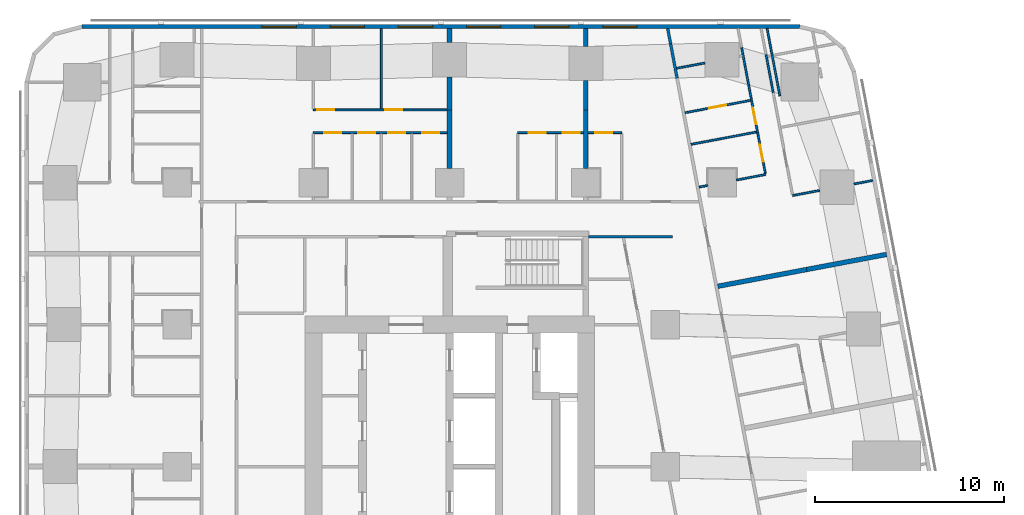
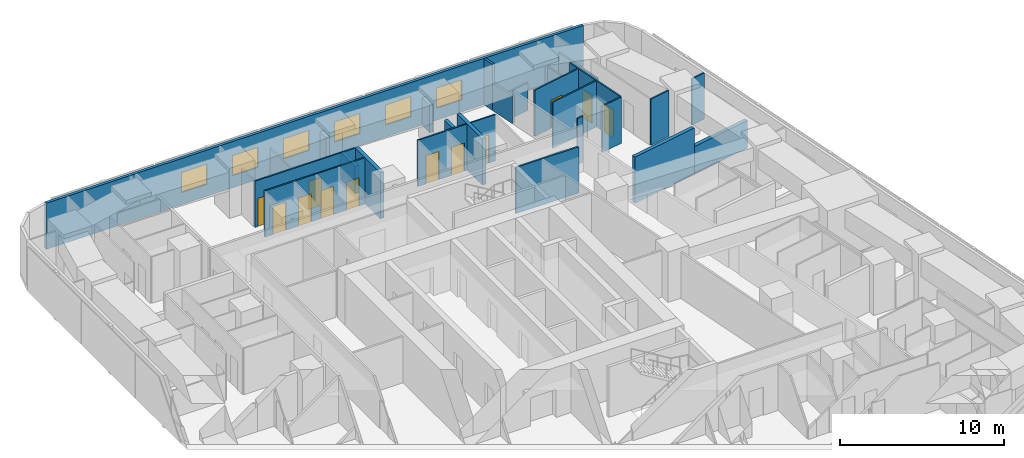
# One storey, part 10 of 15: 28 walls, 12 doors, 6 windows, 18 openings.
"""IFC4 building model written with IfcOpenShell, lengths in metres."""

from ifc_helpers import new_model, si_unit, direction, frame, frame_2d, origin, place, context, subcontext, project, spatial, rectangle, extrude, material, layer, layer_set, type_object, element, fill, save


model = new_model("IFC4")

# Units and contexts
model_context = context("Model", 3, precision=1e-05, world=origin(), true_north=direction((0.0, 1.0)))
body_context = subcontext(model_context, "Body", "Model", "MODEL_VIEW")
ifc_project = project(units=[si_unit("LENGTHUNIT", "METRE"), si_unit("AREAUNIT", "SQUARE_METRE"), si_unit("VOLUMEUNIT", "CUBIC_METRE"), si_unit("PLANEANGLEUNIT", "RADIAN"), si_unit("MASSUNIT", "GRAM", prefix="KILO")], contexts=[model_context])

# Site, building, storey
site_placement = place(None, origin())
site = spatial("IfcSite", under=ifc_project, at=site_placement, CompositionType="ELEMENT")
building_placement = place(site_placement, origin())
building = spatial("IfcBuilding", under=site, at=building_placement, Name="Sheger Commons Tower", CompositionType="ELEMENT")
storey_placement = place(building_placement, frame((0.0, 0.0, 184.550048828125)))
storey = spatial("IfcBuildingStorey", under=building, at=storey_placement, Name="L47", CompositionType="ELEMENT", Elevation=184.550048828125)

# Walls
ifc_material_1 = material(Name="Hollow concrete block masonry, skimmed both sides", Category="masonry")
ifc_layer_1 = layer(ifc_material_1, 0.14990234375)
ifc_layer_set_1 = layer_set([ifc_layer_1], Name="CORRIDOR WALL 150")
wall_type_1 = type_object("IfcWallType", Name="CORRIDOR WALL 150", PredefinedType="SOLIDWALL", material=ifc_layer_set_1)
wall_1_placement = place(storey_placement, frame((33.126953125, 45.64990234375, 0.0), z_axis=(0.0, 0.0, 1.0), x_axis=(0.186176514576, -0.982516313056, 0.0)))
element("IfcWall", 1, at=wall_1_placement, inside=storey, type_object=wall_type_1, Name="Corridor wall L47", PredefinedType="SOLIDWALL", context=body_context, shape_type="SweptSolid", body=[
    extrude(rectangle(XDim=0.827392578125, YDim=0.14990234375, at=frame_2d((0.41357421875, 0.0))), origin(), (0.0, 0.0, 1.0), 3.449951171875),
])
wall_2_placement = place(storey_placement, frame((33.281005859375, 44.8369140625, 0.0), z_axis=(0.0, 0.0, 1.0), x_axis=(0.185198323004, -0.982701165745, 0.0)))
element("IfcWall", 2, at=wall_2_placement, inside=storey, type_object=wall_type_1, Name="Corridor wall L47", PredefinedType="SOLIDWALL", context=body_context, shape_type="SweptSolid", body=[
    extrude(rectangle(XDim=1.846923828125, YDim=0.14990234375, at=frame_2d((0.92333984375, 0.0))), origin(), (0.0, 0.0, 1.0), 2.050048828125),
])
ifc_material_2 = material(Name="Dense concrete block masonry, plastered both sides (separating wall between flats)", Category="masonry")
ifc_layer_2 = layer(ifc_material_2, 0.25)
ifc_layer_set_2 = layer_set([ifc_layer_2], Name="DEMISING WALL 250")
wall_type_2 = type_object("IfcWallType", Name="DEMISING WALL 250", PredefinedType="SOLIDWALL", material=ifc_layer_set_2)
wall_3_placement = place(storey_placement, frame((44.693115234375, 33.712890625, 0.0), z_axis=(0.0, 0.0, 1.0), x_axis=(-0.982633535512, -0.185556823879, 0.0)))
element("IfcWall", 3, at=wall_3_placement, inside=storey, type_object=wall_type_2, Name="Demising wall L47", PredefinedType="SOLIDWALL", context=body_context, shape_type="SweptSolid", body=[
    extrude(rectangle(XDim=4.2998046875, YDim=0.25, at=frame_2d((2.14990234375, 0.0))), origin(), (0.0, 0.0, 1.0), 2.050048828125),
])
wall_4_placement = place(storey_placement, frame((40.468017578125, 32.9150390625, 0.0), z_axis=(0.0, 0.0, 1.0), x_axis=(-0.982635807605, -0.185544791394, 0.0)))
element("IfcWall", 4, at=wall_4_placement, inside=storey, type_object=wall_type_2, Name="Demising wall L47", PredefinedType="SOLIDWALL", context=body_context, shape_type="SweptSolid", body=[
    extrude(rectangle(XDim=4.775146484375, YDim=0.25, at=frame_2d((2.3876953125, 0.0))), origin(), (0.0, 0.0, 1.0), 3.449951171875),
])
wall_5_placement = place(storey_placement, frame((21.60009765625, 41.35009765625, 0.0), z_axis=(0.0, 0.0, 1.0), x_axis=(0.0, 1.0, 0.0)))
element("IfcWall", 5, at=wall_5_placement, inside=storey, type_object=wall_type_2, Name="Demising wall L47", PredefinedType="SOLIDWALL", context=body_context, shape_type="SweptSolid", body=[
    extrude(rectangle(XDim=1.7490234375, YDim=0.25, at=frame_2d((0.87451171875, 0.0))), origin(), (0.0, 0.0, 1.0), 2.050048828125),
])
wall_6_placement = place(storey_placement, frame((21.60009765625, 44.90087890625, 0.0), z_axis=(0.0, 0.0, 1.0), x_axis=(0.0, 1.0, 0.0)))
element("IfcWall", 6, at=wall_6_placement, inside=storey, type_object=wall_type_2, Name="Demising wall L47", PredefinedType="SOLIDWALL", context=body_context, shape_type="SweptSolid", body=[
    extrude(rectangle(XDim=0.7490234375, YDim=0.25, at=frame_2d((0.37451171875, 0.0))), origin(), (0.0, 0.0, 1.0), 2.050048828125),
])
wall_7_placement = place(storey_placement, frame((21.60009765625, 38.2509765625, 0.0), z_axis=(0.0, 0.0, 1.0), x_axis=(0.0, 1.0, 0.0)))
element("IfcWall", 7, at=wall_7_placement, inside=storey, type_object=wall_type_2, Name="Demising wall L47", PredefinedType="SOLIDWALL", context=body_context, shape_type="SweptSolid", body=[
    extrude(rectangle(XDim=3.09912109375, YDim=0.25, at=frame_2d((1.549560546875, 0.0))), origin(), (0.0, 0.0, 1.0), 3.449951171875),
])
wall_8_placement = place(storey_placement, frame((28.800048828125, 41.35009765625, 0.0), z_axis=(0.0, 0.0, 1.0), x_axis=(0.0, 1.0, 0.0)))
element("IfcWall", 8, at=wall_8_placement, inside=storey, type_object=wall_type_2, Name="Demising wall L47", PredefinedType="SOLIDWALL", context=body_context, shape_type="SweptSolid", body=[
    extrude(rectangle(XDim=1.548828125, YDim=0.25, at=frame_2d((0.7744140625, 0.0))), origin(), (0.0, 0.0, 1.0), 2.050048828125),
])
wall_9_placement = place(storey_placement, frame((28.800048828125, 44.700927734375, 0.0), z_axis=(0.0, 0.0, 1.0), x_axis=(0.0, 1.0, 0.0)))
element("IfcWall", 9, at=wall_9_placement, inside=storey, type_object=wall_type_2, Name="Demising wall L47", PredefinedType="SOLIDWALL", context=body_context, shape_type="SweptSolid", body=[
    extrude(rectangle(XDim=0.948974609375, YDim=0.25, at=frame_2d((0.474609375, 0.0))), origin(), (0.0, 0.0, 1.0), 2.050048828125),
])
wall_10_placement = place(storey_placement, frame((28.800048828125, 38.2509765625, 0.0), z_axis=(0.0, 0.0, 1.0), x_axis=(0.0, 1.0, 0.0)))
element("IfcWall", 10, at=wall_10_placement, inside=storey, type_object=wall_type_2, Name="Demising wall L47", PredefinedType="SOLIDWALL", context=body_context, shape_type="SweptSolid", body=[
    extrude(rectangle(XDim=3.09912109375, YDim=0.25, at=frame_2d((1.549560546875, 0.0))), origin(), (0.0, 0.0, 1.0), 3.449951171875),
])

# Wall, openings, windows
ifc_material_3 = material(Name="Rendered concrete block masonry, dark grey", Category="masonry")
ifc_layer_3 = layer(ifc_material_3, 0.199951171875)
ifc_layer_set_3 = layer_set([ifc_layer_3], Name="FACADE WALL 200")
wall_type_3 = type_object("IfcWallType", Name="FACADE WALL 200", PredefinedType="SOLIDWALL", material=ifc_layer_set_3)
wall_11_placement = place(storey_placement, frame((40.10595703125, 45.75, 0.0), z_axis=(0.0, 0.0, 1.0), x_axis=(-1.0, 0.0, 0.0)))
wall_11 = element("IfcWall", 11, at=wall_11_placement, inside=storey, type_object=wall_type_3, Name="Facade wall L47", PredefinedType="SOLIDWALL", context=body_context, shape_type="SweptSolid", body=[
    extrude(rectangle(XDim=37.94287109375, YDim=0.199951171875, at=frame_2d((18.971435546875, 0.0))), origin(), (0.0, 0.0, 1.0), 3.449951171875),
])
opening_1_placement = place(wall_11_placement, frame((8.60595703125, 0.0, 0.89990234375)))
opening_1 = element("IfcOpeningElement", 12, at=opening_1_placement, cuts=wall_11, Name="Opening W2", PredefinedType="OPENING", context=body_context, shape_type="SweptSolid", body=[
    extrude(rectangle(XDim=1.800048828125, YDim=1.5, at=frame_2d((0.89990234375, 0.75))), frame((0.0, 0.10986328125, 0.0), z_axis=(0.0, -1.0, 0.0), x_axis=(1.0, 0.0, 0.0)), (0.0, 0.0, 1.0), 0.219970703125),
])
opening_2_placement = place(wall_11_placement, frame((12.2060546875, 0.0, 0.89990234375)))
opening_2 = element("IfcOpeningElement", 13, at=opening_2_placement, cuts=wall_11, Name="Opening W2", PredefinedType="OPENING", context=body_context, shape_type="SweptSolid", body=[
    extrude(rectangle(XDim=1.800048828125, YDim=1.5, at=frame_2d((0.89990234375, 0.75))), frame((0.0, 0.10986328125, 0.0), z_axis=(0.0, -1.0, 0.0), x_axis=(1.0, 0.0, 0.0)), (0.0, 0.0, 1.0), 0.219970703125),
])
opening_3_placement = place(wall_11_placement, frame((15.805908203125, 0.0, 0.89990234375)))
opening_3 = element("IfcOpeningElement", 14, at=opening_3_placement, cuts=wall_11, Name="Opening W2", PredefinedType="OPENING", context=body_context, shape_type="SweptSolid", body=[
    extrude(rectangle(XDim=1.800048828125, YDim=1.5, at=frame_2d((0.89990234375, 0.75))), frame((0.0, 0.10986328125, 0.0), z_axis=(0.0, -1.0, 0.0), x_axis=(1.0, 0.0, 0.0)), (0.0, 0.0, 1.0), 0.219970703125),
])
opening_4_placement = place(wall_11_placement, frame((19.406005859375, 0.0, 0.89990234375)))
opening_4 = element("IfcOpeningElement", 15, at=opening_4_placement, cuts=wall_11, Name="Opening W2", PredefinedType="OPENING", context=body_context, shape_type="SweptSolid", body=[
    extrude(rectangle(XDim=1.800048828125, YDim=1.5, at=frame_2d((0.89990234375, 0.75))), frame((0.0, 0.10986328125, 0.0), z_axis=(0.0, -1.0, 0.0), x_axis=(1.0, 0.0, 0.0)), (0.0, 0.0, 1.0), 0.219970703125),
])
opening_5_placement = place(wall_11_placement, frame((23.006103515625, 0.0, 0.89990234375)))
opening_5 = element("IfcOpeningElement", 16, at=opening_5_placement, cuts=wall_11, Name="Opening W2", PredefinedType="OPENING", context=body_context, shape_type="SweptSolid", body=[
    extrude(rectangle(XDim=1.800048828125, YDim=1.5, at=frame_2d((0.89990234375, 0.75))), frame((0.0, 0.10986328125, 0.0), z_axis=(0.0, -1.0, 0.0), x_axis=(1.0, 0.0, 0.0)), (0.0, 0.0, 1.0), 0.219970703125),
])
opening_6_placement = place(wall_11_placement, frame((26.60595703125, 0.0, 0.89990234375)))
opening_6 = element("IfcOpeningElement", 17, at=opening_6_placement, cuts=wall_11, Name="Opening W2", PredefinedType="OPENING", context=body_context, shape_type="SweptSolid", body=[
    extrude(rectangle(XDim=1.800048828125, YDim=1.5, at=frame_2d((0.89990234375, 0.75))), frame((0.0, 0.10986328125, 0.0), z_axis=(0.0, -1.0, 0.0), x_axis=(1.0, 0.0, 0.0)), (0.0, 0.0, 1.0), 0.219970703125),
])
ifc_material_4 = material(Name="Black aluminium frame, dark tinted double glazing", Category="aluminium")
window_type = type_object("IfcWindowType", Name="WINDOW W2 1800x1500", PartitioningType="SINGLE_PANEL", PredefinedType="WINDOW", material=ifc_material_4)
window_1_placement = place(opening_1_placement, origin())
window_1 = element("IfcWindow", 18, at=window_1_placement, inside=storey, type_object=window_type, Name="Window W2 1800X1500", OverallHeight=1.5, OverallWidth=1.800048828125, PartitioningType="SINGLE_PANEL", PredefinedType="WINDOW", context=body_context, shape_type="SweptSolid", body=[
    extrude(rectangle(XDim=1.800048828125, YDim=1.5, at=frame_2d((0.89990234375, 0.75))), frame((0.0, 0.030029296875, 0.0), z_axis=(0.0, -1.0, 0.0), x_axis=(1.0, 0.0, 0.0)), (0.0, 0.0, 1.0), 0.06005859375),
])
fill(opening_1, window_1)
window_2_placement = place(opening_2_placement, origin())
window_2 = element("IfcWindow", 19, at=window_2_placement, inside=storey, type_object=window_type, Name="Window W2 1800X1500", OverallHeight=1.5, OverallWidth=1.800048828125, PartitioningType="SINGLE_PANEL", PredefinedType="WINDOW", context=body_context, shape_type="SweptSolid", body=[
    extrude(rectangle(XDim=1.800048828125, YDim=1.5, at=frame_2d((0.89990234375, 0.75))), frame((0.0, 0.030029296875, 0.0), z_axis=(0.0, -1.0, 0.0), x_axis=(1.0, 0.0, 0.0)), (0.0, 0.0, 1.0), 0.06005859375),
])
fill(opening_2, window_2)
window_3_placement = place(opening_3_placement, origin())
window_3 = element("IfcWindow", 20, at=window_3_placement, inside=storey, type_object=window_type, Name="Window W2 1800X1500", OverallHeight=1.5, OverallWidth=1.800048828125, PartitioningType="SINGLE_PANEL", PredefinedType="WINDOW", context=body_context, shape_type="SweptSolid", body=[
    extrude(rectangle(XDim=1.800048828125, YDim=1.5, at=frame_2d((0.89990234375, 0.75))), frame((0.0, 0.030029296875, 0.0), z_axis=(0.0, -1.0, 0.0), x_axis=(1.0, 0.0, 0.0)), (0.0, 0.0, 1.0), 0.06005859375),
])
fill(opening_3, window_3)
window_4_placement = place(opening_4_placement, origin())
window_4 = element("IfcWindow", 21, at=window_4_placement, inside=storey, type_object=window_type, Name="Window W2 1800X1500", OverallHeight=1.5, OverallWidth=1.800048828125, PartitioningType="SINGLE_PANEL", PredefinedType="WINDOW", context=body_context, shape_type="SweptSolid", body=[
    extrude(rectangle(XDim=1.800048828125, YDim=1.5, at=frame_2d((0.89990234375, 0.75))), frame((0.0, 0.030029296875, 0.0), z_axis=(0.0, -1.0, 0.0), x_axis=(1.0, 0.0, 0.0)), (0.0, 0.0, 1.0), 0.06005859375),
])
fill(opening_4, window_4)
window_5_placement = place(opening_5_placement, origin())
window_5 = element("IfcWindow", 22, at=window_5_placement, inside=storey, type_object=window_type, Name="Window W2 1800X1500", OverallHeight=1.5, OverallWidth=1.800048828125, PartitioningType="SINGLE_PANEL", PredefinedType="WINDOW", context=body_context, shape_type="SweptSolid", body=[
    extrude(rectangle(XDim=1.800048828125, YDim=1.5, at=frame_2d((0.89990234375, 0.75))), frame((0.0, 0.030029296875, 0.0), z_axis=(0.0, -1.0, 0.0), x_axis=(1.0, 0.0, 0.0)), (0.0, 0.0, 1.0), 0.06005859375),
])
fill(opening_5, window_5)
window_6_placement = place(opening_6_placement, origin())
window_6 = element("IfcWindow", 23, at=window_6_placement, inside=storey, type_object=window_type, Name="Window W2 1800X1500", OverallHeight=1.5, OverallWidth=1.800048828125, PartitioningType="SINGLE_PANEL", PredefinedType="WINDOW", context=body_context, shape_type="SweptSolid", body=[
    extrude(rectangle(XDim=1.800048828125, YDim=1.5, at=frame_2d((0.89990234375, 0.75))), frame((0.0, 0.030029296875, 0.0), z_axis=(0.0, -1.0, 0.0), x_axis=(1.0, 0.0, 0.0)), (0.0, 0.0, 1.0), 0.06005859375),
])
fill(opening_6, window_6)

# Walls
ifc_material_5 = material(Name="Gypsum board on steel studs", Category="steel")
ifc_layer_4 = layer(ifc_material_5, 0.10009765625)
ifc_layer_set_4 = layer_set([ifc_layer_4], Name="PARTITION 100")
wall_type_4 = type_object("IfcWallType", Name="PARTITION 100", PredefinedType="PARTITIONING", material=ifc_layer_set_4)
wall_12_placement = place(storey_placement, frame((39.053955078125, 42.0849609375, 0.0), z_axis=(0.0, 0.0, 1.0), x_axis=(-0.185791584218, 0.982589175207, 0.0)))
element("IfcWall", 24, at=wall_12_placement, inside=storey, type_object=wall_type_4, Name="Partition L47", PredefinedType="PARTITIONING", context=body_context, shape_type="SweptSolid", body=[
    extrude(rectangle(XDim=3.628173828125, YDim=0.10009765625, at=frame_2d((1.81396484375, 0.0))), origin(), (0.0, 0.0, 1.0), 2.050048828125),
])
wall_13_placement = place(storey_placement, frame((38.318115234375, 44.298095703125, 0.0), z_axis=(0.0, 0.0, 1.0), x_axis=(0.185481135188, -0.982647825261, 0.0)))
element("IfcWall", 25, at=wall_13_placement, inside=storey, type_object=wall_type_4, Name="Partition L47", PredefinedType="PARTITIONING", context=body_context, shape_type="SweptSolid", body=[
    extrude(rectangle(XDim=2.06396484375, YDim=0.10009765625, at=frame_2d((1.031982421875, 0.0))), origin(), (0.0, 0.0, 1.0), 2.050048828125),
])
wall_14_placement = place(storey_placement, frame((37.027099609375, 44.666015625, 0.0), z_axis=(0.0, 0.0, 1.0), x_axis=(0.1855674151, -0.982631535446, 0.0)))
element("IfcWall", 26, at=wall_14_placement, inside=storey, type_object=wall_type_4, Name="Partition L47", PredefinedType="PARTITIONING", context=body_context, shape_type="SweptSolid", body=[
    extrude(rectangle(XDim=2.06298828125, YDim=0.10009765625, at=frame_2d((1.031494140625, 0.0))), origin(), (0.0, 0.0, 1.0), 2.050048828125),
])

# Wall, openings, doors
wall_15_placement = place(storey_placement, frame((37.409912109375, 42.638916015625, 0.0), z_axis=(0.0, 0.0, 1.0), x_axis=(0.185579683022, -0.982629218601, 0.0)))
wall_15 = element("IfcWall", 27, at=wall_15_placement, inside=storey, type_object=wall_type_4, Name="Partition L47", PredefinedType="PARTITIONING", context=body_context, shape_type="SweptSolid", body=[
    extrude(rectangle(XDim=4.7373046875, YDim=0.10009765625, at=frame_2d((2.36865234375, 0.0))), origin(), (0.0, 0.0, 1.0), 3.449951171875),
])
opening_7_placement = place(wall_15_placement, frame((3.18896484375, 0.0, 0.0)))
opening_7 = element("IfcOpeningElement", 28, at=opening_7_placement, cuts=wall_15, Name="Opening D2", PredefinedType="OPENING", context=body_context, shape_type="SweptSolid", body=[
    extrude(rectangle(XDim=0.89990234375, YDim=2.10009765625, at=frame_2d((0.449951171875, 1.050048828125))), frame((0.0, 0.06005859375, 0.0), z_axis=(0.0, -1.0, 0.0), x_axis=(1.0, 0.0, 0.0)), (0.0, 0.0, 1.0), 0.1201171875),
])
opening_8_placement = place(wall_15_placement, frame((1.19091796875, 0.0, 0.0)))
opening_8 = element("IfcOpeningElement", 29, at=opening_8_placement, cuts=wall_15, Name="Opening D2", PredefinedType="OPENING", context=body_context, shape_type="SweptSolid", body=[
    extrude(rectangle(XDim=0.89990234375, YDim=2.10009765625, at=frame_2d((0.449951171875, 1.050048828125))), frame((0.0, 0.06005859375, 0.0), z_axis=(0.0, -1.0, 0.0), x_axis=(1.0, 0.0, 0.0)), (0.0, 0.0, 1.0), 0.1201171875),
])
ifc_material_6 = material(Name="Timber door set", Category="wood")
door_type = type_object("IfcDoorType", Name="INTERNAL DOOR 900x2100", OperationType="NOTDEFINED", PredefinedType="DOOR", material=ifc_material_6)
door_1_placement = place(opening_7_placement, origin())
door_1 = element("IfcDoor", 30, at=door_1_placement, inside=storey, type_object=door_type, Name="Bathroom door", OperationType="SINGLE_SWING_LEFT", OverallHeight=2.10009765625, OverallWidth=0.89990234375, PredefinedType="DOOR", context=body_context, shape_type="SweptSolid", body=[
    extrude(rectangle(XDim=0.89990234375, YDim=2.10009765625, at=frame_2d((0.449951171875, 1.050048828125))), frame((0.0, 0.02490234375, 0.0), z_axis=(0.0, -1.0, 0.0), x_axis=(1.0, 0.0, 0.0)), (0.0, 0.0, 1.0), 0.050048828125),
])
fill(opening_7, door_1)
door_2_placement = place(opening_8_placement, origin())
door_2 = element("IfcDoor", 31, at=door_2_placement, inside=storey, type_object=door_type, Name="Laundry room door", OperationType="SINGLE_SWING_LEFT", OverallHeight=2.10009765625, OverallWidth=0.89990234375, PredefinedType="DOOR", context=body_context, shape_type="SweptSolid", body=[
    extrude(rectangle(XDim=0.89990234375, YDim=2.10009765625, at=frame_2d((0.449951171875, 1.050048828125))), frame((0.0, 0.02490234375, 0.0), z_axis=(0.0, -1.0, 0.0), x_axis=(1.0, 0.0, 0.0)), (0.0, 0.0, 1.0), 0.050048828125),
])
fill(opening_8, door_2)

# Walls
wall_16_placement = place(storey_placement, frame((43.955078125, 37.6201171875, 0.0), z_axis=(0.0, 0.0, 1.0), x_axis=(-0.982666697719, -0.185381124159, 0.0)))
element("IfcWall", 32, at=wall_16_placement, inside=storey, type_object=wall_type_4, Name="Partition L47", PredefinedType="PARTITIONING", context=body_context, shape_type="SweptSolid", body=[
    extrude(rectangle(XDim=0.998291015625, YDim=0.10009765625, at=frame_2d((0.4990234375, 0.0))), origin(), (0.0, 0.0, 1.0), 3.449951171875),
])
wall_17_placement = place(storey_placement, frame((41.154052734375, 37.091064453125, 0.0), z_axis=(0.0, 0.0, 1.0), x_axis=(-0.982617614942, -0.185641112921, 0.0)))
element("IfcWall", 33, at=wall_17_placement, inside=storey, type_object=wall_type_4, Name="Partition L47", PredefinedType="PARTITIONING", context=body_context, shape_type="SweptSolid", body=[
    extrude(rectangle(XDim=1.44921875, YDim=0.10009765625, at=frame_2d((0.724609375, 0.0))), origin(), (0.0, 0.0, 1.0), 3.449951171875),
])
wall_18_placement = place(storey_placement, frame((35.090087890625, 43.827880859375, 0.0), z_axis=(0.0, 0.0, 1.0), x_axis=(-0.982683801717, -0.185290436461, 0.0)))
element("IfcWall", 34, at=wall_18_placement, inside=storey, type_object=wall_type_4, Name="Partition L47", PredefinedType="PARTITIONING", context=body_context, shape_type="SweptSolid", body=[
    extrude(rectangle(XDim=1.51513671875, YDim=0.10009765625, at=frame_2d((0.757568359375, 0.0))), origin(), (0.0, 0.0, 1.0), 2.050048828125),
])
wall_19_placement = place(storey_placement, frame((37.822998046875, 40.181884765625, 0.0), z_axis=(0.0, 0.0, 1.0), x_axis=(-0.98263926043, -0.185526504472, 0.0)))
element("IfcWall", 35, at=wall_19_placement, inside=storey, type_object=wall_type_4, Name="Partition L47", PredefinedType="PARTITIONING", context=body_context, shape_type="SweptSolid", body=[
    extrude(rectangle(XDim=3.524169921875, YDim=0.10009765625, at=frame_2d((1.76220703125, 0.0))), origin(), (0.0, 0.0, 1.0), 3.449951171875),
])
wall_20_placement = place(storey_placement, frame((38.299072265625, 37.93505859375, 0.0), z_axis=(0.0, 0.0, 1.0), x_axis=(-0.98258870752, -0.18579405764, 0.0)))
element("IfcWall", 36, at=wall_20_placement, inside=storey, type_object=wall_type_4, Name="Partition L47", PredefinedType="PARTITIONING", context=body_context, shape_type="SweptSolid", body=[
    extrude(rectangle(XDim=1.56640625, YDim=0.10009765625, at=frame_2d((0.783203125, 0.0))), origin(), (0.0, 0.0, 1.0), 3.449951171875),
])
wall_21_placement = place(storey_placement, frame((35.239990234375, 37.35693359375, 0.0), z_axis=(0.0, 0.0, 1.0), x_axis=(-0.982559813104, -0.18594680334, 0.0)))
element("IfcWall", 37, at=wall_21_placement, inside=storey, type_object=wall_type_4, Name="Partition L47", PredefinedType="PARTITIONING", context=body_context, shape_type="SweptSolid", body=[
    extrude(rectangle(XDim=0.462158203125, YDim=0.10009765625, at=frame_2d((0.23095703125, 0.0))), origin(), (0.0, 0.0, 1.0), 3.449951171875),
])

# Wall, opening, door
wall_22_placement = place(storey_placement, frame((37.507080078125, 41.85302734375, 0.0), z_axis=(0.0, 0.0, 1.0), x_axis=(-0.982629014545, -0.18558076348, 0.0)))
wall_22 = element("IfcWall", 38, at=wall_22_placement, inside=storey, type_object=wall_type_4, Name="Partition L47", PredefinedType="PARTITIONING", context=body_context, shape_type="SweptSolid", body=[
    extrude(rectangle(XDim=3.5244140625, YDim=0.10009765625, at=frame_2d((1.76220703125, 0.0))), origin(), (0.0, 0.0, 1.0), 3.449951171875),
])
opening_9_placement = place(wall_22_placement, frame((1.323974609375, 0.0, 0.0)))
opening_9 = element("IfcOpeningElement", 39, at=opening_9_placement, cuts=wall_22, Name="Opening D2", PredefinedType="OPENING", context=body_context, shape_type="SweptSolid", body=[
    extrude(rectangle(XDim=0.89990234375, YDim=2.10009765625, at=frame_2d((0.449951171875, 1.050048828125))), frame((0.0, 0.06005859375, 0.0), z_axis=(0.0, -1.0, 0.0), x_axis=(1.0, 0.0, 0.0)), (0.0, 0.0, 1.0), 0.1201171875),
])
door_3_placement = place(opening_9_placement, origin())
door_3 = element("IfcDoor", 40, at=door_3_placement, inside=storey, type_object=door_type, Name="Store door", OperationType="SINGLE_SWING_RIGHT", OverallHeight=2.10009765625, OverallWidth=0.89990234375, PredefinedType="DOOR", context=body_context, shape_type="SweptSolid", body=[
    extrude(rectangle(XDim=0.89990234375, YDim=2.10009765625, at=frame_2d((0.449951171875, 1.050048828125))), frame((0.0, 0.02490234375, 0.0), z_axis=(0.0, -1.0, 0.0), x_axis=(1.0, 0.0, 0.0)), (0.0, 0.0, 1.0), 0.050048828125),
])
fill(opening_9, door_3)

# Wall, openings, doors
wall_23_placement = place(storey_placement, frame((14.39990234375, 41.35009765625, 0.0), z_axis=(0.0, 0.0, 1.0), x_axis=(1.0, 0.0, 0.0)))
wall_23 = element("IfcWall", 41, at=wall_23_placement, inside=storey, type_object=wall_type_4, Name="Partition L47", PredefinedType="PARTITIONING", context=body_context, shape_type="SweptSolid", body=[
    extrude(rectangle(XDim=7.0751953125, YDim=0.10009765625, at=frame_2d((3.53759765625, 0.0))), origin(), (0.0, 0.0, 1.0), 3.449951171875),
])
opening_10_placement = place(wall_23_placement, frame((0.199951171875, 0.0, 0.0)))
opening_10 = element("IfcOpeningElement", 42, at=opening_10_placement, cuts=wall_23, Name="Opening D2", PredefinedType="OPENING", context=body_context, shape_type="SweptSolid", body=[
    extrude(rectangle(XDim=0.89990234375, YDim=2.10009765625, at=frame_2d((0.449951171875, 1.050048828125))), frame((0.0, 0.06005859375, 0.0), z_axis=(0.0, -1.0, 0.0), x_axis=(1.0, 0.0, 0.0)), (0.0, 0.0, 1.0), 0.1201171875),
])
opening_11_placement = place(wall_23_placement, frame((3.800048828125, 0.0, 0.0)))
opening_11 = element("IfcOpeningElement", 43, at=opening_11_placement, cuts=wall_23, Name="Opening D2", PredefinedType="OPENING", context=body_context, shape_type="SweptSolid", body=[
    extrude(rectangle(XDim=0.89990234375, YDim=2.10009765625, at=frame_2d((0.449951171875, 1.050048828125))), frame((0.0, 0.06005859375, 0.0), z_axis=(0.0, -1.0, 0.0), x_axis=(1.0, 0.0, 0.0)), (0.0, 0.0, 1.0), 0.1201171875),
])
door_4_placement = place(opening_10_placement, origin())
door_4 = element("IfcDoor", 44, at=door_4_placement, inside=storey, type_object=door_type, Name="Main bedroom door", OperationType="SINGLE_SWING_LEFT", OverallHeight=2.10009765625, OverallWidth=0.89990234375, PredefinedType="DOOR", context=body_context, shape_type="SweptSolid", body=[
    extrude(rectangle(XDim=0.89990234375, YDim=2.10009765625, at=frame_2d((0.449951171875, 1.050048828125))), frame((0.0, 0.02490234375, 0.0), z_axis=(0.0, -1.0, 0.0), x_axis=(1.0, 0.0, 0.0)), (0.0, 0.0, 1.0), 0.050048828125),
])
fill(opening_10, door_4)
door_5_placement = place(opening_11_placement, origin())
door_5 = element("IfcDoor", 45, at=door_5_placement, inside=storey, type_object=door_type, Name="Bedroom 2 door", OperationType="SINGLE_SWING_LEFT", OverallHeight=2.10009765625, OverallWidth=0.89990234375, PredefinedType="DOOR", context=body_context, shape_type="SweptSolid", body=[
    extrude(rectangle(XDim=0.89990234375, YDim=2.10009765625, at=frame_2d((0.449951171875, 1.050048828125))), frame((0.0, 0.02490234375, 0.0), z_axis=(0.0, -1.0, 0.0), x_axis=(1.0, 0.0, 0.0)), (0.0, 0.0, 1.0), 0.050048828125),
])
fill(opening_11, door_5)

wall_24_placement = place(storey_placement, frame((14.39990234375, 40.14990234375, 0.0), z_axis=(0.0, 0.0, 1.0), x_axis=(1.0, 0.0, 0.0)))
wall_24 = element("IfcWall", 46, at=wall_24_placement, inside=storey, type_object=wall_type_4, Name="Partition L47", PredefinedType="PARTITIONING", context=body_context, shape_type="SweptSolid", body=[
    extrude(rectangle(XDim=7.0751953125, YDim=0.10009765625, at=frame_2d((3.53759765625, 0.0))), origin(), (0.0, 0.0, 1.0), 3.449951171875),
])
opening_12_placement = place(wall_24_placement, frame((0.574951171875, 0.0, 0.0)))
opening_12 = element("IfcOpeningElement", 47, at=opening_12_placement, cuts=wall_24, Name="Opening D2", PredefinedType="OPENING", context=body_context, shape_type="SweptSolid", body=[
    extrude(rectangle(XDim=0.89990234375, YDim=2.10009765625, at=frame_2d((0.449951171875, 1.050048828125))), frame((0.0, 0.06005859375, 0.0), z_axis=(0.0, -1.0, 0.0), x_axis=(1.0, 0.0, 0.0)), (0.0, 0.0, 1.0), 0.1201171875),
])
opening_13_placement = place(wall_24_placement, frame((3.949951171875, 0.0, 0.0)))
opening_13 = element("IfcOpeningElement", 48, at=opening_13_placement, cuts=wall_24, Name="Opening D2", PredefinedType="OPENING", context=body_context, shape_type="SweptSolid", body=[
    extrude(rectangle(XDim=0.89990234375, YDim=2.10009765625, at=frame_2d((0.449951171875, 1.050048828125))), frame((0.0, 0.06005859375, 0.0), z_axis=(0.0, -1.0, 0.0), x_axis=(1.0, 0.0, 0.0)), (0.0, 0.0, 1.0), 0.1201171875),
])
opening_14_placement = place(wall_24_placement, frame((2.375, 0.0, 0.0)))
opening_14 = element("IfcOpeningElement", 49, at=opening_14_placement, cuts=wall_24, Name="Opening D2", PredefinedType="OPENING", context=body_context, shape_type="SweptSolid", body=[
    extrude(rectangle(XDim=0.89990234375, YDim=2.10009765625, at=frame_2d((0.449951171875, 1.050048828125))), frame((0.0, 0.06005859375, 0.0), z_axis=(0.0, -1.0, 0.0), x_axis=(1.0, 0.0, 0.0)), (0.0, 0.0, 1.0), 0.1201171875),
])
opening_15_placement = place(wall_24_placement, frame((5.75, 0.0, 0.0)))
opening_15 = element("IfcOpeningElement", 50, at=opening_15_placement, cuts=wall_24, Name="Opening D2", PredefinedType="OPENING", context=body_context, shape_type="SweptSolid", body=[
    extrude(rectangle(XDim=0.89990234375, YDim=2.10009765625, at=frame_2d((0.449951171875, 1.050048828125))), frame((0.0, 0.06005859375, 0.0), z_axis=(0.0, -1.0, 0.0), x_axis=(1.0, 0.0, 0.0)), (0.0, 0.0, 1.0), 0.1201171875),
])
door_6_placement = place(opening_12_placement, origin())
door_6 = element("IfcDoor", 51, at=door_6_placement, inside=storey, type_object=door_type, Name="Bathroom door", OperationType="SINGLE_SWING_RIGHT", OverallHeight=2.10009765625, OverallWidth=0.89990234375, PredefinedType="DOOR", context=body_context, shape_type="SweptSolid", body=[
    extrude(rectangle(XDim=0.89990234375, YDim=2.10009765625, at=frame_2d((0.449951171875, 1.050048828125))), frame((0.0, 0.02490234375, 0.0), z_axis=(0.0, -1.0, 0.0), x_axis=(1.0, 0.0, 0.0)), (0.0, 0.0, 1.0), 0.050048828125),
])
fill(opening_12, door_6)
door_7_placement = place(opening_13_placement, origin())
door_7 = element("IfcDoor", 52, at=door_7_placement, inside=storey, type_object=door_type, Name="Shower room door", OperationType="SINGLE_SWING_LEFT", OverallHeight=2.10009765625, OverallWidth=0.89990234375, PredefinedType="DOOR", context=body_context, shape_type="SweptSolid", body=[
    extrude(rectangle(XDim=0.89990234375, YDim=2.10009765625, at=frame_2d((0.449951171875, 1.050048828125))), frame((0.0, 0.02490234375, 0.0), z_axis=(0.0, -1.0, 0.0), x_axis=(1.0, 0.0, 0.0)), (0.0, 0.0, 1.0), 0.050048828125),
])
fill(opening_13, door_7)
door_8_placement = place(opening_14_placement, origin())
door_8 = element("IfcDoor", 53, at=door_8_placement, inside=storey, type_object=door_type, Name="Store door", OperationType="SINGLE_SWING_LEFT", OverallHeight=2.10009765625, OverallWidth=0.89990234375, PredefinedType="DOOR", context=body_context, shape_type="SweptSolid", body=[
    extrude(rectangle(XDim=0.89990234375, YDim=2.10009765625, at=frame_2d((0.449951171875, 1.050048828125))), frame((0.0, 0.02490234375, 0.0), z_axis=(0.0, -1.0, 0.0), x_axis=(1.0, 0.0, 0.0)), (0.0, 0.0, 1.0), 0.050048828125),
])
fill(opening_14, door_8)
door_9_placement = place(opening_15_placement, origin())
door_9 = element("IfcDoor", 54, at=door_9_placement, inside=storey, type_object=door_type, Name="Store door", OperationType="SINGLE_SWING_LEFT", OverallHeight=2.10009765625, OverallWidth=0.89990234375, PredefinedType="DOOR", context=body_context, shape_type="SweptSolid", body=[
    extrude(rectangle(XDim=0.89990234375, YDim=2.10009765625, at=frame_2d((0.449951171875, 1.050048828125))), frame((0.0, 0.02490234375, 0.0), z_axis=(0.0, -1.0, 0.0), x_axis=(1.0, 0.0, 0.0)), (0.0, 0.0, 1.0), 0.050048828125),
])
fill(opening_15, door_9)

# Wall
wall_25_placement = place(storey_placement, frame((18.0, 41.39990234375, 0.0), z_axis=(0.0, 0.0, 1.0), x_axis=(0.0, 1.0, 0.0)))
element("IfcWall", 55, at=wall_25_placement, inside=storey, type_object=wall_type_4, Name="Partition L47", PredefinedType="PARTITIONING", context=body_context, shape_type="SweptSolid", body=[
    extrude(rectangle(XDim=4.25, YDim=0.10009765625, at=frame_2d((2.125, 0.0))), origin(), (0.0, 0.0, 1.0), 2.050048828125),
])

# Wall, openings, doors
wall_26_placement = place(storey_placement, frame((25.199951171875, 40.14990234375, 0.0), z_axis=(0.0, 0.0, 1.0), x_axis=(1.0, 0.0, 0.0)))
wall_26 = element("IfcWall", 56, at=wall_26_placement, inside=storey, type_object=wall_type_4, Name="Partition L47", PredefinedType="PARTITIONING", context=body_context, shape_type="SweptSolid", body=[
    extrude(rectangle(XDim=3.47509765625, YDim=0.10009765625, at=frame_2d((1.737548828125, 0.0))), origin(), (0.0, 0.0, 1.0), 3.449951171875),
])
opening_16_placement = place(wall_26_placement, frame((0.574951171875, 0.0, 0.0)))
opening_16 = element("IfcOpeningElement", 57, at=opening_16_placement, cuts=wall_26, Name="Opening D2", PredefinedType="OPENING", context=body_context, shape_type="SweptSolid", body=[
    extrude(rectangle(XDim=0.89990234375, YDim=2.10009765625, at=frame_2d((0.449951171875, 1.050048828125))), frame((0.0, 0.06005859375, 0.0), z_axis=(0.0, -1.0, 0.0), x_axis=(1.0, 0.0, 0.0)), (0.0, 0.0, 1.0), 0.1201171875),
])
opening_17_placement = place(wall_26_placement, frame((2.375, 0.0, 0.0)))
opening_17 = element("IfcOpeningElement", 58, at=opening_17_placement, cuts=wall_26, Name="Opening D2", PredefinedType="OPENING", context=body_context, shape_type="SweptSolid", body=[
    extrude(rectangle(XDim=0.89990234375, YDim=2.10009765625, at=frame_2d((0.449951171875, 1.050048828125))), frame((0.0, 0.06005859375, 0.0), z_axis=(0.0, -1.0, 0.0), x_axis=(1.0, 0.0, 0.0)), (0.0, 0.0, 1.0), 0.1201171875),
])
door_10_placement = place(opening_16_placement, origin())
door_10 = element("IfcDoor", 59, at=door_10_placement, inside=storey, type_object=door_type, Name="Bathroom door", OperationType="SINGLE_SWING_RIGHT", OverallHeight=2.10009765625, OverallWidth=0.89990234375, PredefinedType="DOOR", context=body_context, shape_type="SweptSolid", body=[
    extrude(rectangle(XDim=0.89990234375, YDim=2.10009765625, at=frame_2d((0.449951171875, 1.050048828125))), frame((0.0, 0.02490234375, 0.0), z_axis=(0.0, -1.0, 0.0), x_axis=(1.0, 0.0, 0.0)), (0.0, 0.0, 1.0), 0.050048828125),
])
fill(opening_16, door_10)
door_11_placement = place(opening_17_placement, origin())
door_11 = element("IfcDoor", 60, at=door_11_placement, inside=storey, type_object=door_type, Name="Store door", OperationType="SINGLE_SWING_LEFT", OverallHeight=2.10009765625, OverallWidth=0.89990234375, PredefinedType="DOOR", context=body_context, shape_type="SweptSolid", body=[
    extrude(rectangle(XDim=0.89990234375, YDim=2.10009765625, at=frame_2d((0.449951171875, 1.050048828125))), frame((0.0, 0.02490234375, 0.0), z_axis=(0.0, -1.0, 0.0), x_axis=(1.0, 0.0, 0.0)), (0.0, 0.0, 1.0), 0.050048828125),
])
fill(opening_17, door_11)

# Wall, opening, door
wall_27_placement = place(storey_placement, frame((28.925048828125, 40.14990234375, 0.0), z_axis=(0.0, 0.0, 1.0), x_axis=(1.0, 0.0, 0.0)))
wall_27 = element("IfcWall", 61, at=wall_27_placement, inside=storey, type_object=wall_type_4, Name="Partition L47", PredefinedType="PARTITIONING", context=body_context, shape_type="SweptSolid", body=[
    extrude(rectangle(XDim=1.764892578125, YDim=0.10009765625, at=frame_2d((0.88232421875, 0.0))), origin(), (0.0, 0.0, 1.0), 3.449951171875),
])
opening_18_placement = place(wall_27_placement, frame((0.375, 0.0, 0.0)))
opening_18 = element("IfcOpeningElement", 62, at=opening_18_placement, cuts=wall_27, Name="Opening D2", PredefinedType="OPENING", context=body_context, shape_type="SweptSolid", body=[
    extrude(rectangle(XDim=0.89990234375, YDim=2.10009765625, at=frame_2d((0.449951171875, 1.050048828125))), frame((0.0, 0.06005859375, 0.0), z_axis=(0.0, -1.0, 0.0), x_axis=(1.0, 0.0, 0.0)), (0.0, 0.0, 1.0), 0.1201171875),
])
door_12_placement = place(opening_18_placement, origin())
door_12 = element("IfcDoor", 63, at=door_12_placement, inside=storey, type_object=door_type, Name="Shower room door", OperationType="SINGLE_SWING_RIGHT", OverallHeight=2.10009765625, OverallWidth=0.89990234375, PredefinedType="DOOR", context=body_context, shape_type="SweptSolid", body=[
    extrude(rectangle(XDim=0.89990234375, YDim=2.10009765625, at=frame_2d((0.449951171875, 1.050048828125))), frame((0.0, 0.02490234375, 0.0), z_axis=(0.0, -1.0, 0.0), x_axis=(1.0, 0.0, 0.0)), (0.0, 0.0, 1.0), 0.050048828125),
])
fill(opening_18, door_12)

# Wall
ifc_material_7 = material(Name="Gypsum board on steel studs, two layers each side, fire rated", Category="steel")
ifc_layer_5 = layer(ifc_material_7, 0.125)
ifc_layer_set_5 = layer_set([ifc_layer_5], Name="SERVICE WALL 125")
wall_type_5 = type_object("IfcWallType", Name="SERVICE WALL 125", PredefinedType="PARTITIONING", material=ifc_layer_set_5)
wall_28_placement = place(storey_placement, frame((28.949951171875, 34.64990234375, 0.0), z_axis=(0.0, 0.0, 1.0), x_axis=(1.0, 0.0, 0.0)))
element("IfcWall", 64, at=wall_28_placement, inside=storey, type_object=wall_type_5, Name="Service room wall L47", PredefinedType="PARTITIONING", context=body_context, shape_type="SweptSolid", body=[
    extrude(rectangle(XDim=4.423095703125, YDim=0.125, at=frame_2d((2.21142578125, 0.0))), origin(), (0.0, 0.0, 1.0), 3.449951171875),
])

save(model, "model.ifc")
